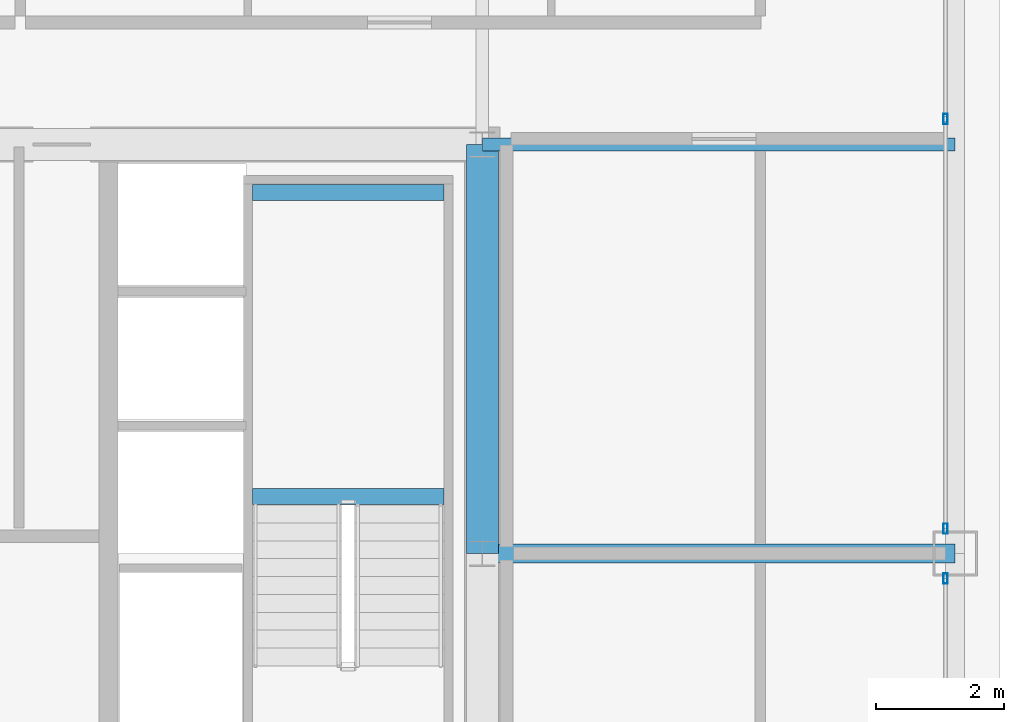
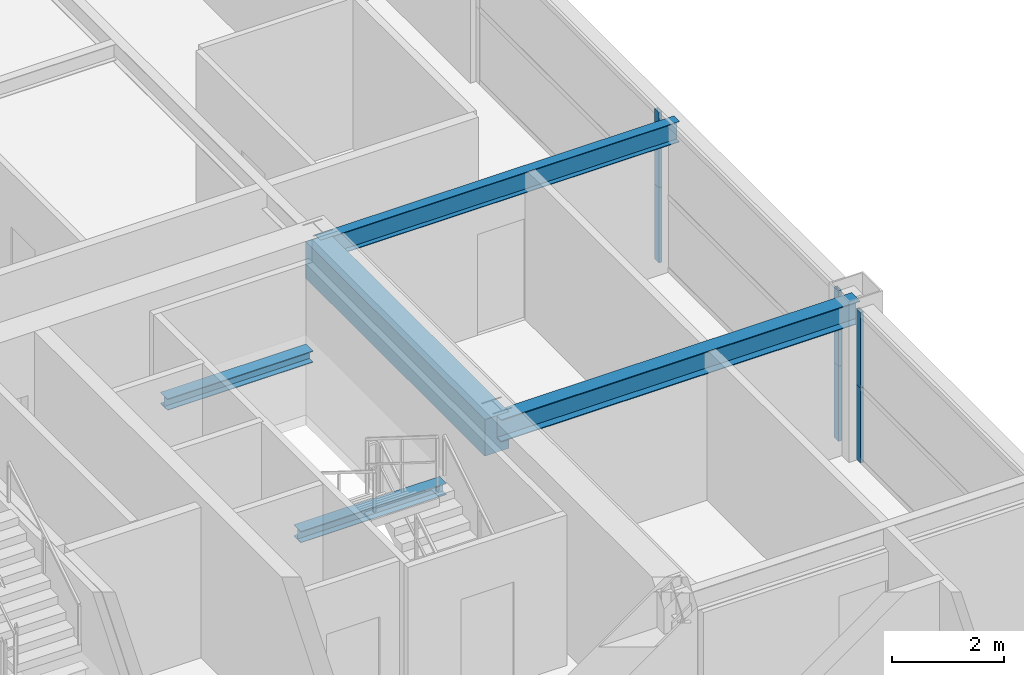
# One storey, part 17 of 33: 6 members, 5 beams, 2 elements without a shape of their own.
"""IFC4 building model written with IfcOpenShell, lengths in metres."""

import ifcopenshell
import ifcopenshell.guid

model = None  # the IFC model being written
_history = None  # IfcOwnerHistory: only IFC2X3 demands one
_inside = {}  # id of a spatial element -> (the spatial element, [elements in it])
_under = {}  # id of a project, library or spatial element -> (it, [spatial elements below it])
_declared = {}  # id of a project -> (the project, [libraries it declares])
_typed = {}  # id of a type object -> (the type object, [elements of that type])
_made_of = {}  # id of a material, layer set ... -> (it, [elements and type objects made of it])


def new_model(schema):
    """Start an empty IFC model of exactly this schema.

    Asked for "IFC4X3", IfcOpenShell would pick the latest addendum, in which some entities
    have other attributes; the version numbers below select the first issue.
    IFC2X3 requires an IfcOwnerHistory on every rooted entity: one is made here for all.
    """
    global model, _history
    if schema == "IFC4X3":
        model = ifcopenshell.file(schema_version=(4, 3, 0, 0))
    else:
        model = ifcopenshell.file(schema=schema)
    _inside.clear()
    _under.clear()
    _declared.clear()
    _typed.clear()
    _made_of.clear()
    _history = None
    if model.schema == "IFC2X3":
        org = make("IfcOrganization", Name="unknown")
        user = make(
            "IfcPersonAndOrganization",
            ThePerson=make("IfcPerson", FamilyName="unknown"),
            TheOrganization=org,
        )
        app = make(
            "IfcApplication",
            ApplicationDeveloper=org,
            Version="unknown",
            ApplicationFullName="unknown",
            ApplicationIdentifier="unknown",
        )
        _history = make(
            "IfcOwnerHistory",
            OwningUser=user,
            OwningApplication=app,
            ChangeAction="ADDED",
            CreationDate=0,
        )
    return model


def make(cls, **values):
    """One entity of the class cls with the attributes given. An attribute that is None is left unset."""
    return model.create_entity(
        cls, **{name: value for name, value in values.items() if value is not None}
    )


def rooted(cls, **values):
    """An entity with a GlobalId (a new one), such as an element, a storey or a relation."""
    return make(cls, GlobalId=ifcopenshell.guid.new(), OwnerHistory=_history, **values)


def si_unit(unit_type, name, prefix=None):
    """IfcSIUnit, for example si_unit("LENGTHUNIT", "METRE", prefix="MILLI")."""
    return make("IfcSIUnit", UnitType=unit_type, Prefix=prefix, Name=name)


def assignment(units):
    """IfcUnitAssignment: the units of a project."""
    return None if units is None else make("IfcUnitAssignment", Units=units)


def point(xyz):
    """IfcCartesianPoint."""
    return None if xyz is None else make("IfcCartesianPoint", Coordinates=xyz)


def direction(xyz):
    """IfcDirection."""
    return None if xyz is None else make("IfcDirection", DirectionRatios=xyz)


def frame(location, z_axis=None, x_axis=None):
    """IfcAxis2Placement3D, a coordinate frame: its origin and axes. An axis left out is left unset."""
    return make(
        "IfcAxis2Placement3D",
        Location=point(location),
        Axis=direction(z_axis),
        RefDirection=direction(x_axis),
    )


def frame_2d(location, x_axis=None):
    """IfcAxis2Placement2D, a coordinate frame in the plane: its origin and x axis."""
    return make(
        "IfcAxis2Placement2D", Location=point(location), RefDirection=direction(x_axis)
    )


def origin():
    """The frame at (0, 0, 0) with its axes left unset."""
    return frame((0.0, 0.0, 0.0))


def origin_2d():
    """The frame at (0, 0) in the plane with its x axis left unset."""
    return frame_2d((0.0, 0.0))


def place(relative_to, where):
    """IfcLocalPlacement: puts the frame where relative to a parent placement (None: the world)."""
    return make(
        "IfcLocalPlacement", PlacementRelTo=relative_to, RelativePlacement=where
    )


def context(
    kind, dimensions, precision=None, world=None, true_north=None, identifier=None
):
    """IfcGeometricRepresentationContext, for example the 3D "Model" context."""
    return make(
        "IfcGeometricRepresentationContext",
        ContextIdentifier=identifier,
        ContextType=kind,
        CoordinateSpaceDimension=dimensions,
        Precision=precision,
        WorldCoordinateSystem=world,
        TrueNorth=true_north,
    )


def subcontext(parent, identifier, kind, view, scale=None):
    """IfcGeometricRepresentationSubContext, for example "Body" below "Model"."""
    return make(
        "IfcGeometricRepresentationSubContext",
        ContextIdentifier=identifier,
        ContextType=kind,
        ParentContext=parent,
        TargetScale=scale,
        TargetView=view,
    )


def project(units=None, contexts=None):
    """IfcProject with its units and contexts."""
    return rooted(
        "IfcProject",
        Name="project",
        RepresentationContexts=contexts,
        UnitsInContext=assignment(units),
    )


def spatial(cls, under=None, at=None, **own):
    """A site, building, storey or space (cls), placed at a placement, below another one or the project."""
    s = rooted(cls, ObjectPlacement=at, **own)
    if under is not None:
        _under.setdefault(under.id(), (under, []))[1].append(s)
    return s


def profile(cls, at=None, kind="AREA", **sizes):
    """A parametric profile (cls). Its sizes go by their IFC names, for example OverallWidth=200.0."""
    return make(cls, ProfileType=kind, Position=at, **sizes)


def rectangle(**sizes):
    """IfcRectangleProfileDef."""
    return profile("IfcRectangleProfileDef", **sizes)


def hollow_rectangle(**sizes):
    """IfcRectangleHollowProfileDef."""
    return profile("IfcRectangleHollowProfileDef", **sizes)


def i_section(**sizes):
    """IfcIShapeProfileDef."""
    return profile("IfcIShapeProfileDef", **sizes)


def extrude(swept, where, along, depth):
    """IfcExtrudedAreaSolid: the profile swept, set in the frame where, extruded along a direction by depth."""
    return make(
        "IfcExtrudedAreaSolid",
        SweptArea=swept,
        Position=where,
        ExtrudedDirection=direction(along),
        Depth=depth,
    )


def shape(context_of_items, identifier, shape_type, items):
    """IfcShapeRepresentation: the items that make up one representation, for example the "Body"."""
    return make(
        "IfcShapeRepresentation",
        ContextOfItems=context_of_items,
        RepresentationIdentifier=identifier,
        RepresentationType=shape_type,
        Items=items,
    )


def source(mapping_origin, context_of_items, identifier, shape_type, items):
    """IfcRepresentationMap: a shape defined once, which mapped items show again and again."""
    return make(
        "IfcRepresentationMap",
        MappingOrigin=mapping_origin,
        MappedRepresentation=shape(context_of_items, identifier, shape_type, items),
    )


def transform(
    local_origin,
    x_axis=None,
    y_axis=None,
    z_axis=None,
    scale=None,
    scale2=None,
    scale3=None,
    uniform=True,
):
    """IfcCartesianTransformationOperator3D, or its non-uniform kind. x_axis, y_axis, z_axis: its Axis1, 2, 3."""
    if uniform:
        return make(
            "IfcCartesianTransformationOperator3D",
            Axis1=direction(x_axis),
            Axis2=direction(y_axis),
            LocalOrigin=point(local_origin),
            Scale=scale,
            Axis3=direction(z_axis),
        )
    return make(
        "IfcCartesianTransformationOperator3DnonUniform",
        Axis1=direction(x_axis),
        Axis2=direction(y_axis),
        LocalOrigin=point(local_origin),
        Scale=scale,
        Axis3=direction(z_axis),
        Scale2=scale2,
        Scale3=scale3,
    )


def mapped(mapping_source, mapping_target):
    """IfcMappedItem: shows the shape of a source again, moved by a transform."""
    return make(
        "IfcMappedItem", MappingSource=mapping_source, MappingTarget=mapping_target
    )


def material(Name=None, Category=None):
    """IfcMaterial."""
    return make("IfcMaterial", Name=Name, Category=Category)


def layer(
    of_material, thickness, ventilated=None, Name=None, Category=None, Priority=None
):
    """IfcMaterialLayer: one layer of a wall or slab, of a material (None: an air gap)."""
    return make(
        "IfcMaterialLayer",
        Material=of_material,
        LayerThickness=thickness,
        IsVentilated=ventilated,
        Name=Name,
        Category=Category,
        Priority=Priority,
    )


def layer_set(layers, Name=None):
    """IfcMaterialLayerSet."""
    return make("IfcMaterialLayerSet", MaterialLayers=layers, LayerSetName=Name)


def material_profile(
    of_material, cross_section, Name=None, Category=None, Priority=None
):
    """IfcMaterialProfile: a cross section and its material."""
    return make(
        "IfcMaterialProfile",
        Name=Name,
        Material=of_material,
        Profile=cross_section,
        Priority=Priority,
        Category=Category,
    )


def profile_set(profiles, Name=None, composite=None):
    """IfcMaterialProfileSet."""
    return make(
        "IfcMaterialProfileSet",
        Name=Name,
        MaterialProfiles=profiles,
        CompositeProfile=composite,
    )


def made_of(thing, what):
    """Note that an element or type object is made of a material, layer set ...; save() writes the relation."""
    if what is not None:
        _made_of.setdefault(what.id(), (what, []))[1].append(thing)
    return thing


def type_object(cls, material=None, **own):
    """A type object (cls), such as IfcWallType, which elements share."""
    return made_of(rooted(cls, **own), material)


def element(
    cls,
    number,
    at=None,
    inside=None,
    cuts=None,
    type_object=None,
    material=None,
    context=None,
    identifier="Body",
    shape_type=None,
    held_by="IfcProductDefinitionShape",
    body=None,
    shapes=None,
    **own,
):
    """One element of the class cls, such as IfcWall. Its Tag is "e" and its number.

    at: its placement. inside: the storey or other place that contains it. cuts: it is an
    opening in that element (IfcRelVoidsElement). A single representation is given by context,
    identifier, shape_type and body (its items); several are given by shapes. held_by: the class
    of the entity that holds the representations. save() writes the other relations.
    """
    e = rooted(cls, Tag="e%d" % number, ObjectPlacement=at, **own)
    if body is not None:
        shapes = [shape(context, identifier, shape_type, body)]
    if shapes is not None:
        e.Representation = make(held_by, Representations=shapes)
    if inside is not None:
        _inside.setdefault(inside.id(), (inside, []))[1].append(e)
    if cuts is not None:
        rooted(
            "IfcRelVoidsElement", RelatingBuildingElement=cuts, RelatedOpeningElement=e
        )
    if type_object is not None:
        _typed.setdefault(type_object.id(), (type_object, []))[1].append(e)
    return made_of(e, material)


def aggregate(whole, parts):
    """IfcRelAggregates: a whole, such as a stair, and the parts it consists of."""
    return rooted("IfcRelAggregates", RelatingObject=whole, RelatedObjects=parts)


def save(model, path):
    """Write the relations noted so far, then the file.

    IfcRelAggregates (storeys below a building ...), IfcRelContainedInSpatialStructure (elements
    in a storey), IfcRelDefinesByType, IfcRelAssociatesMaterial and IfcRelDeclares: one each for
    every whole, place, type object, material and project.
    """
    for whole, parts in _under.values():
        aggregate(whole, parts)
    for where, things in _inside.values():
        rooted(
            "IfcRelContainedInSpatialStructure",
            RelatedElements=things,
            RelatingStructure=where,
        )
    for kind, things in _typed.values():
        rooted("IfcRelDefinesByType", RelatedObjects=things, RelatingType=kind)
    for what, things in _made_of.values():
        rooted("IfcRelAssociatesMaterial", RelatedObjects=things, RelatingMaterial=what)
    for by, libraries in _declared.values():
        rooted("IfcRelDeclares", RelatingContext=by, RelatedDefinitions=libraries)
    model.write(path)


model = new_model("IFC4")

# Units and contexts
model_context = context("Model", 3, precision=1e-05, world=origin(), true_north=direction((0.0, 1.0)))
body_context = subcontext(model_context, "Body", "Model", "MODEL_VIEW")
ifc_project = project(units=[si_unit("LENGTHUNIT", "METRE"), si_unit("AREAUNIT", "SQUARE_METRE"), si_unit("VOLUMEUNIT", "CUBIC_METRE"), si_unit("PLANEANGLEUNIT", "RADIAN"), si_unit("MASSUNIT", "GRAM", prefix="KILO"), si_unit("THERMODYNAMICTEMPERATUREUNIT", "KELVIN"), si_unit("POWERUNIT", "WATT")], contexts=[model_context])

# Site, building, storey
site_placement = place(None, origin())
site = spatial("IfcSite", under=ifc_project, at=site_placement, CompositionType="ELEMENT")
building_placement = place(site_placement, origin())
building = spatial("IfcBuilding", under=site, at=building_placement, Name="Yuzanri Waterfront Tower", CompositionType="ELEMENT")
storey_placement = place(building_placement, frame((0.0, 0.0, 234.60009765625)))
storey = spatial("IfcBuildingStorey", under=building, at=storey_placement, Name="L62", CompositionType="ELEMENT", Elevation=234.60009765625)

# Beams
ifc_material_1 = material(Name="Concrete C50", Category="concrete")
ifc_material_profile_1 = material_profile(ifc_material_1, rectangle(XDim=0.5, YDim=0.800048828125, at=origin_2d()), Name="RC 500x800")
ifc_profile_set_1 = profile_set([ifc_material_profile_1], Name="Concrete C50")
beam_type_1 = type_object("IfcBeamType", Name="Core Coupling Lintel Concrete C50 500x800", PredefinedType="LINTEL", material=ifc_profile_set_1)
shared_shape_1 = source(origin(), body_context, "Body", "SweptSolid", [
    extrude(rectangle(XDim=0.5, YDim=0.800048828125, at=origin_2d()), origin(), (0.0, 0.0, 1.0), 6.39990234375),
])
beam_1_placement = place(storey_placement, frame((50.199951171875, 25.800048828125, 2.8798828125), z_axis=(0.0, 1.0, 0.0), x_axis=(-1.0, 0.0, 0.0)))
element("IfcBeam", 1, at=beam_1_placement, inside=storey, type_object=beam_type_1, Name="L62 Core Tie Beam CE2", PredefinedType="LINTEL", context=body_context, shape_type="MappedRepresentation", body=[
    mapped(shared_shape_1, transform((0.0, 0.0, 0.0), scale=1.0)),
])
ifc_material_2 = material(Name="Steel Q355B", Category="steel")
ifc_material_profile_2 = material_profile(ifc_material_2, i_section(OverallWidth=0.300048828125, OverallDepth=0.488037109375, WebThickness=0.010986328125, FlangeThickness=0.01806640625, at=origin_2d()), Name="HM 488x300x11x18")
ifc_profile_set_2 = profile_set([ifc_material_profile_2], Name="Steel Q355B")
beam_type_2 = type_object("IfcBeamType", Name="Primary Floor Girder Q355B HM 488x300", PredefinedType="BEAM", material=ifc_profile_set_2)
shared_shape_2 = source(origin(), body_context, "Body", "SweptSolid", [
    extrude(i_section(OverallWidth=0.300048828125, OverallDepth=0.488037109375, WebThickness=0.010986328125, FlangeThickness=0.01806640625, at=origin_2d()), origin(), (0.0, 0.0, 1.0), 7.400146484375),
])
beam_2_placement = place(storey_placement, frame((50.199951171875, 25.800048828125, 3.035888671875), z_axis=(1.0, 0.0, 0.0), x_axis=(0.0, 1.0, 0.0)))
element("IfcBeam", 2, at=beam_2_placement, inside=storey, type_object=beam_type_2, Name="L62 East Grid Girder", PredefinedType="BEAM", context=body_context, shape_type="MappedRepresentation", body=[
    mapped(shared_shape_2, transform((0.0, 0.0, 0.0), scale=1.0)),
])
ifc_material_3 = material(Name="Steel Q355B", Category="steel")
ifc_material_profile_3 = material_profile(ifc_material_3, i_section(OverallWidth=0.199951171875, OverallDepth=0.449951171875, WebThickness=0.009033203125, FlangeThickness=0.013916015625, at=origin_2d()), Name="HN 450x200x9x14")
ifc_profile_set_3 = profile_set([ifc_material_profile_3], Name="Steel Q355B")
beam_type_3 = type_object("IfcBeamType", Name="Secondary Floor Beam Q355B HN 450x200", PredefinedType="BEAM", material=ifc_profile_set_3)
shared_shape_3 = source(origin(), body_context, "Body", "SweptSolid", [
    extrude(i_section(OverallWidth=0.199951171875, OverallDepth=0.449951171875, WebThickness=0.009033203125, FlangeThickness=0.013916015625, at=origin_2d()), origin(), (0.0, 0.0, 1.0), 7.400146484375),
])
beam_3_placement = place(storey_placement, frame((50.199951171875, 32.199951171875, 3.054931640625), z_axis=(1.0, 0.0, 0.0), x_axis=(0.0, 1.0, 0.0)))
element("IfcBeam", 3, at=beam_3_placement, inside=storey, type_object=beam_type_3, Name="L62 East-North Core Line Beam", PredefinedType="BEAM", context=body_context, shape_type="MappedRepresentation", body=[
    mapped(shared_shape_3, transform((0.0, 0.0, 0.0), scale=1.0)),
])

# Curtain wall, members
ifc_material_4 = material(Name="Anodized Architectural Bronze", Category="metal")
ifc_layer = layer(ifc_material_4, 0.159912109375)
ifc_layer_set = layer_set([ifc_layer], Name="Anodized Architectural Bronze")
curtain_wall_type = type_object("IfcCurtainWallType", Name="Anodized Bronze Mid-Rise Residential Acoustic Unitized Curtain Wall 7200", PredefinedType="NOTDEFINED", material=ifc_layer_set)
curtain_wall_1_placement = place(storey_placement, origin())
curtain_wall_1 = element("IfcCurtainWall", 4, at=curtain_wall_1_placement, inside=storey, type_object=curtain_wall_type, Name="L62 Curtain Wall CW-L62-EL", PredefinedType="NOTDEFINED")
ifc_material_5 = material(Name="Anodized Architectural Bronze", Category="metal")
ifc_material_profile_4 = material_profile(ifc_material_5, hollow_rectangle(XDim=0.06494140625, YDim=0.159912109375, WallThickness=0.00341796875, at=origin_2d()), Name="CWM 65x160")
ifc_profile_set_4 = profile_set([ifc_material_profile_4], Name="Anodized Architectural Bronze")
member_type = type_object("IfcMemberType", Name="Anodized Bronze Upper-Zone Curtain-Wall Mullion 65x160", PredefinedType="MULLION", material=ifc_profile_set_4)
shared_shape_4 = source(origin(), body_context, "Body", "SweptSolid", [
    extrude(hollow_rectangle(XDim=0.06494140625, YDim=0.159912109375, WallThickness=0.00341796875, at=origin_2d()), origin(), (0.0, 0.0, 1.0), 1.637939453125),
])
member_1_placement = place(storey_placement, frame((57.449951171875, 25.409912109375, 0.0), z_axis=(0.0, 0.0, 1.0), x_axis=(1.0, 0.0, 0.0)))
member_1 = element("IfcMember", 5, at=member_1_placement, type_object=member_type, Name="CW-L62-EL Lower Mullion 02", PredefinedType="MULLION", context=body_context, shape_type="MappedRepresentation", body=[
    mapped(shared_shape_4, transform((0.0, 0.0, 0.0), scale=1.0)),
])
member_2_placement = place(storey_placement, frame((57.449951171875, 25.409912109375, 1.641845703125), z_axis=(0.0, 0.0, 1.0), x_axis=(1.0, 0.0, 0.0)))
member_2 = element("IfcMember", 6, at=member_2_placement, type_object=member_type, Name="CW-L62-EL Upper Mullion 02", PredefinedType="MULLION", context=body_context, shape_type="MappedRepresentation", body=[
    mapped(shared_shape_4, transform((0.0, 0.0, 0.0), scale=1.0)),
])
aggregate(curtain_wall_1, [member_1, member_2])

curtain_wall_2_placement = place(storey_placement, origin())
curtain_wall_2 = element("IfcCurtainWall", 7, at=curtain_wall_2_placement, inside=storey, type_object=curtain_wall_type, Name="L62 Curtain Wall CW-L62-ER", PredefinedType="NOTDEFINED")
member_3_placement = place(storey_placement, frame((57.449951171875, 26.18994140625, 0.0), z_axis=(0.0, 0.0, 1.0), x_axis=(1.0, 0.0, 0.0)))
member_3 = element("IfcMember", 8, at=member_3_placement, type_object=member_type, Name="CW-L62-ER Lower Mullion 00", PredefinedType="MULLION", context=body_context, shape_type="MappedRepresentation", body=[
    mapped(shared_shape_4, transform((0.0, 0.0, 0.0), scale=1.0)),
])
member_4_placement = place(storey_placement, frame((57.449951171875, 26.18994140625, 1.641845703125), z_axis=(0.0, 0.0, 1.0), x_axis=(1.0, 0.0, 0.0)))
member_4 = element("IfcMember", 9, at=member_4_placement, type_object=member_type, Name="CW-L62-ER Upper Mullion 00", PredefinedType="MULLION", context=body_context, shape_type="MappedRepresentation", body=[
    mapped(shared_shape_4, transform((0.0, 0.0, 0.0), scale=1.0)),
])
member_5_placement = place(storey_placement, frame((57.449951171875, 32.60009765625, 0.0), z_axis=(0.0, 0.0, 1.0), x_axis=(1.0, 0.0, 0.0)))
member_5 = element("IfcMember", 10, at=member_5_placement, type_object=member_type, Name="CW-L62-ER Lower Mullion 01", PredefinedType="MULLION", context=body_context, shape_type="MappedRepresentation", body=[
    mapped(shared_shape_4, transform((0.0, 0.0, 0.0), scale=1.0)),
])
member_6_placement = place(storey_placement, frame((57.449951171875, 32.60009765625, 1.641845703125), z_axis=(0.0, 0.0, 1.0), x_axis=(1.0, 0.0, 0.0)))
member_6 = element("IfcMember", 11, at=member_6_placement, type_object=member_type, Name="CW-L62-ER Upper Mullion 01", PredefinedType="MULLION", context=body_context, shape_type="MappedRepresentation", body=[
    mapped(shared_shape_4, transform((0.0, 0.0, 0.0), scale=1.0)),
])
aggregate(curtain_wall_2, [member_3, member_4, member_5, member_6])

# Beams
ifc_material_6 = material(Name="Steel Q355B", Category="steel")
ifc_material_profile_5 = material_profile(ifc_material_6, i_section(OverallWidth=0.25, OverallDepth=0.25, WebThickness=0.009033203125, FlangeThickness=0.013916015625, at=origin_2d()), Name="HW 250x250x9x14")
ifc_profile_set_5 = profile_set([ifc_material_profile_5], Name="Steel Q355B")
beam_type_4 = type_object("IfcBeamType", Name="Stair Landing Support Beam Q355B HW 250x250", PredefinedType="BEAM", material=ifc_profile_set_5)
shared_shape_5 = source(origin(), body_context, "Body", "SweptSolid", [
    extrude(i_section(OverallWidth=0.25, OverallDepth=0.25, WebThickness=0.009033203125, FlangeThickness=0.013916015625, at=origin_2d()), origin(), (0.0, 0.0, 1.0), 3.0),
])
for number, where, z_axis, x_axis, name in (
    (12, (46.60009765625, 26.68994140625, 1.4248046875), (1.0, 0.0, 0.0), (0.0, 1.0, 0.0), "L62 Stair Landing Support Beam ST-02-L62-L1-1"),
    (13, (46.60009765625, 31.449951171875, 1.4248046875), (1.0, 0.0, 0.0), (0.0, 1.0, 0.0), "L62 Stair Landing Support Beam ST-02-L62-L1-2"),
):
    element("IfcBeam", number, at=place(storey_placement, frame(where, z_axis=z_axis, x_axis=x_axis)), inside=storey, type_object=beam_type_4, Name=name, PredefinedType="BEAM", context=body_context, shape_type="MappedRepresentation", body=[
        mapped(shared_shape_5, transform((0.0, 0.0, 0.0), scale=1.0)),
    ])

save(model, "model.ifc")
